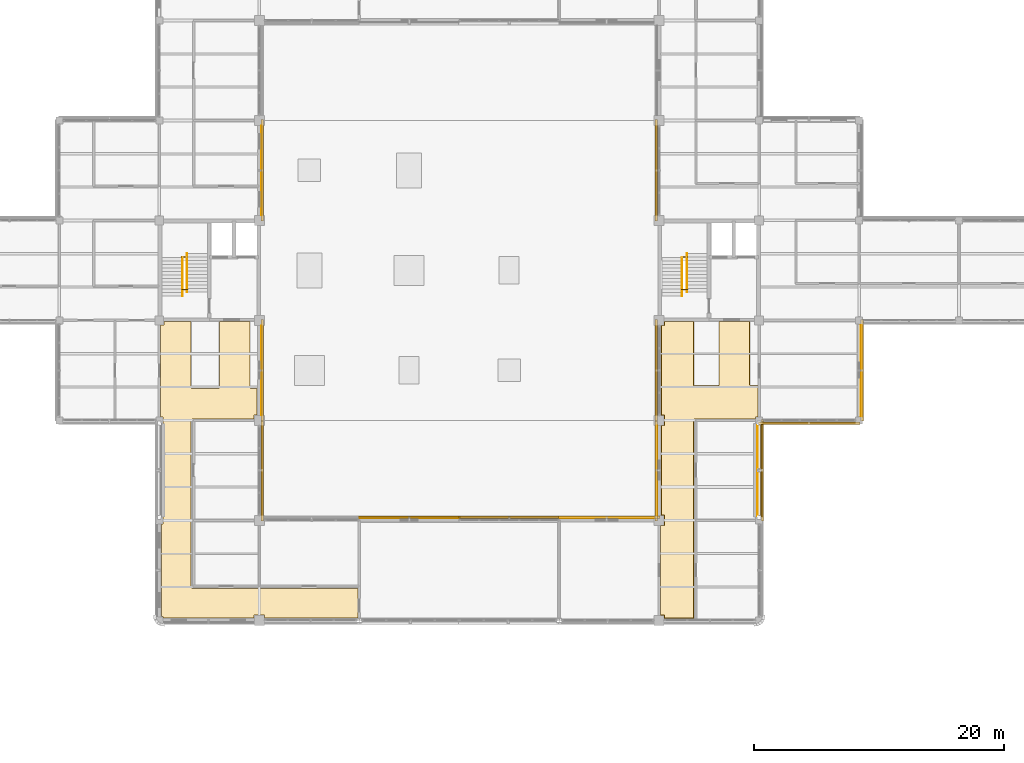
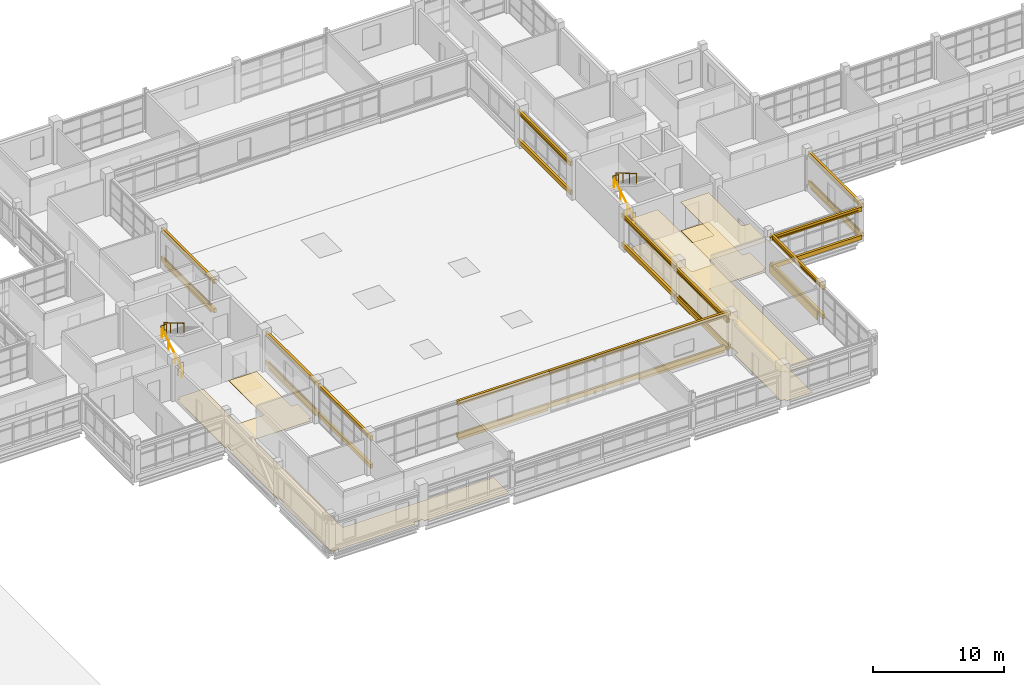
# One storey, part 97 of 107: 34 coverings, 12 shading devices, 8 railings.
"""IFC4 building model written with IfcOpenShell, lengths in metres."""

from ifc_helpers import new_model, si_unit, derived_unit, direction, frame, origin, origin_2d, place, context, subcontext, project, spatial, polyline, rectangle, circle, outline, extrude, material, layer, layer_set, material_profile, profile_set, type_object, element, save


model = new_model("IFC4")

# Units and contexts
model_context = context("Model", 3, precision=1e-05, world=origin(), true_north=direction((0.0, 1.0)))
body_context = subcontext(model_context, "Body", "Model", "MODEL_VIEW")
ifc_project = project(units=[si_unit("LENGTHUNIT", "METRE"), si_unit("AREAUNIT", "SQUARE_METRE"), si_unit("VOLUMEUNIT", "CUBIC_METRE"), si_unit("PLANEANGLEUNIT", "RADIAN"), si_unit("MASSUNIT", "GRAM", prefix="KILO"), derived_unit("THERMALTRANSMITTANCEUNIT", [(si_unit("MASSUNIT", "GRAM", prefix="KILO"), 1), (si_unit("TIMEUNIT", "SECOND"), -3), (si_unit("THERMODYNAMICTEMPERATUREUNIT", "KELVIN"), -1)])], contexts=[model_context])

# Site, building, storey
site_placement = place(None, origin())
site = spatial("IfcSite", under=ifc_project, at=site_placement, CompositionType="ELEMENT")
building_placement = place(site_placement, origin())
building = spatial("IfcBuilding", under=site, at=building_placement, Name="Veyamyaing Civic Hall", CompositionType="ELEMENT")
storey_placement = place(building_placement, frame((0.0, 0.0, 13.860107421875)))
storey = spatial("IfcBuildingStorey", under=building, at=storey_placement, Name="L03", CompositionType="ELEMENT", Elevation=13.860107421875)

# Coverings
ifc_material_1 = material(Name="Buff sandstone ashlar cladding", Category="masonry")
ifc_layer_1 = layer(ifc_material_1, 0.050048828125, Name="Buff sandstone ashlar cladding")
ifc_layer_set_1 = layer_set([ifc_layer_1], Name="Buff sandstone ashlar cladding")
covering_type_1 = type_object("IfcCoveringType", Name="CL-01", PredefinedType="CLADDING", material=ifc_layer_set_1)
for number, where, z_axis, x_axis, name in (
    (1, (72.173583984375, 44.0, 0.044921875), (0.0, 0.0, 1.0), (0.0, 1.0, 0.0), "Facade spandrel cladding CL-01 L03 E 9.6"),
    (2, (72.173583984375, 60.0, 0.044921875), (0.0, 0.0, 1.0), (0.0, 1.0, 0.0), "Facade spandrel cladding CL-01 L03 E 9.8"),
):
    element("IfcCovering", number, at=place(storey_placement, frame(where, z_axis=z_axis, x_axis=x_axis)), inside=storey, type_object=covering_type_1, Name=name, PredefinedType="CLADDING", context=body_context, shape_type="SweptSolid", body=[
        extrude(rectangle(XDim=7.14990234375, YDim=0.050048828125, at=origin_2d()), origin(), (0.0, 0.0, 1.0), 0.75),
    ])
covering_1_placement = place(storey_placement, frame((84.0, 32.173583984375, 0.044921875), z_axis=(0.0, 0.0, 1.0), x_axis=(1.0, 0.0, 0.0)))
element("IfcCovering", 3, at=covering_1_placement, inside=storey, type_object=covering_type_1, Name="Facade spandrel cladding CL-01 L03 N 11.4", PredefinedType="CLADDING", context=body_context, shape_type="SweptSolid", body=[
    extrude(rectangle(XDim=7.919921875, YDim=0.050048828125, at=origin_2d()), origin(), (0.0, 0.0, 1.0), 0.75),
])
covering_2_placement = place(storey_placement, frame((99.8076171875, 32.173583984375, 0.044921875), z_axis=(0.0, 0.0, 1.0), x_axis=(1.0, 0.0, 0.0)))
element("IfcCovering", 4, at=covering_2_placement, inside=storey, type_object=covering_type_1, Name="Facade spandrel cladding CL-01 L03 N 13.4", PredefinedType="CLADDING", context=body_context, shape_type="SweptSolid", body=[
    extrude(rectangle(XDim=7.534912109375, YDim=0.050048828125, at=origin_2d()), origin(), (0.0, 0.0, 1.0), 0.75),
])
covering_3_placement = place(storey_placement, frame((103.826416015625, 36.0, 0.044921875), z_axis=(0.0, 0.0, 1.0), x_axis=(0.0, 1.0, 0.0)))
element("IfcCovering", 5, at=covering_3_placement, inside=storey, type_object=covering_type_1, Name="Facade spandrel cladding CL-01 L03 W 14.5", PredefinedType="CLADDING", context=body_context, shape_type="SweptSolid", body=[
    extrude(rectangle(XDim=7.14990234375, YDim=0.050048828125, at=origin_2d()), origin(), (0.0, 0.0, 1.0), 0.75),
])
for number, where, z_axis, x_axis, name in (
    (6, (111.87353515625, 36.0, 0.044921875), (0.0, 0.0, 1.0), (0.0, 1.0, 0.0), "Facade spandrel cladding CL-01 L03 E 14.5"),
    (7, (120.173583984375, 44.0, 0.044921875), (0.0, 0.0, 1.0), (0.0, 1.0, 0.0), "Facade spandrel cladding CL-01 L03 E 15.6"),
):
    element("IfcCovering", number, at=place(storey_placement, frame(where, z_axis=z_axis, x_axis=x_axis)), inside=storey, type_object=covering_type_1, Name=name, PredefinedType="CLADDING", context=body_context, shape_type="SweptSolid", body=[
        extrude(rectangle(XDim=7.39990234375, YDim=0.050048828125, at=origin_2d()), origin(), (0.0, 0.0, 1.0), 0.75),
    ])
ifc_material_2 = material(Name="White powder-coated aluminium 6063-T6", Category="aluminium")
ifc_layer_2 = layer(ifc_material_2, 0.2099609375, Name="White powder-coated aluminium 6063-T6")
ifc_layer_set_2 = layer_set([ifc_layer_2], Name="White powder-coated aluminium 6063-T6")
covering_type_2 = type_object("IfcCoveringType", Name="CL-03", PredefinedType="CLADDING", material=ifc_layer_set_2)
for number, where, z_axis, x_axis, name in (
    (8, (72.239990234375, 36.0, 2.919921875), (0.0, 0.0, 1.0), (0.0, 1.0, 0.0), "Continuous white head fascia ribbon CL-03 L03 E 9.5"),
    (9, (72.239990234375, 36.0, 0.280029296875), (0.0, 0.0, 1.0), (0.0, 1.0, 0.0), "Continuous white sill fascia ribbon CL-03 L03 E 9.5"),
    (10, (72.239990234375, 44.0, 2.98388671875), (0.0, 0.0, 1.0), (0.0, 1.0, 0.0), "Continuous white head fascia ribbon CL-03 L03 E 9.6"),
    (11, (72.239990234375, 44.0, 0.280029296875), (0.0, 0.0, 1.0), (0.0, 1.0, 0.0), "Continuous white sill fascia ribbon CL-03 L03 E 9.6"),
    (12, (72.239990234375, 60.0, 2.987060546875), (0.0, 0.0, 1.0), (0.0, 1.0, 0.0), "Continuous white head fascia ribbon CL-03 L03 E 9.8"),
    (13, (72.239990234375, 60.0, 0.280029296875), (0.0, 0.0, 1.0), (0.0, 1.0, 0.0), "Continuous white sill fascia ribbon CL-03 L03 E 9.8"),
    (14, (84.0, 32.239990234375, 3.344970703125), (0.0, 0.0, 1.0), (1.0, 0.0, 0.0), "Continuous white head fascia ribbon CL-03 L03 N 11.4"),
    (15, (84.0, 32.239990234375, 0.280029296875), (0.0, 0.0, 1.0), (1.0, 0.0, 0.0), "Continuous white sill fascia ribbon CL-03 L03 N 11.4"),
    (16, (92.0, 32.239990234375, 3.344970703125), (0.0, 0.0, 1.0), (1.0, 0.0, 0.0), "Continuous white head fascia ribbon CL-03 L03 N 12.4"),
    (17, (92.0, 32.239990234375, 0.280029296875), (0.0, 0.0, 1.0), (1.0, 0.0, 0.0), "Continuous white sill fascia ribbon CL-03 L03 N 12.4"),
    (18, (100.0, 32.239990234375, 3.344970703125), (0.0, 0.0, 1.0), (1.0, 0.0, 0.0), "Continuous white head fascia ribbon CL-03 L03 N 13.4"),
    (19, (100.0, 32.239990234375, 0.280029296875), (0.0, 0.0, 1.0), (1.0, 0.0, 0.0), "Continuous white sill fascia ribbon CL-03 L03 N 13.4"),
    (20, (103.760009765625, 36.0, 2.919921875), (0.0, 0.0, 1.0), (0.0, 1.0, 0.0), "Continuous white head fascia ribbon CL-03 L03 W 14.5"),
    (21, (103.760009765625, 36.0, 0.280029296875), (0.0, 0.0, 1.0), (0.0, 1.0, 0.0), "Continuous white sill fascia ribbon CL-03 L03 W 14.5"),
    (22, (112.239990234375, 36.0, 2.98388671875), (0.0, 0.0, 1.0), (0.0, 1.0, 0.0), "Continuous white head fascia ribbon CL-03 L03 E 14.5"),
    (23, (112.239990234375, 36.0, 0.280029296875), (0.0, 0.0, 1.0), (0.0, 1.0, 0.0), "Continuous white sill fascia ribbon CL-03 L03 E 14.5"),
    (24, (103.760009765625, 44.0, 2.98388671875), (0.0, 0.0, 1.0), (0.0, 1.0, 0.0), "Continuous white head fascia ribbon CL-03 L03 W 14.6"),
    (25, (103.760009765625, 44.0, 0.280029296875), (0.0, 0.0, 1.0), (0.0, 1.0, 0.0), "Continuous white sill fascia ribbon CL-03 L03 W 14.6"),
    (26, (103.760009765625, 60.0, 2.987060546875), (0.0, 0.0, 1.0), (0.0, 1.0, 0.0), "Continuous white head fascia ribbon CL-03 L03 W 14.8"),
    (27, (103.760009765625, 60.0, 0.280029296875), (0.0, 0.0, 1.0), (0.0, 1.0, 0.0), "Continuous white sill fascia ribbon CL-03 L03 W 14.8"),
    (28, (116.0, 39.760009765625, 2.923828125), (0.0, 0.0, 1.0), (1.0, 0.0, 0.0), "Continuous white head fascia ribbon CL-03 L03 S 15.6"),
    (29, (116.0, 39.760009765625, 0.280029296875), (0.0, 0.0, 1.0), (1.0, 0.0, 0.0), "Continuous white sill fascia ribbon CL-03 L03 S 15.6"),
    (30, (120.239990234375, 44.0, 2.987060546875), (0.0, 0.0, 1.0), (0.0, 1.0, 0.0), "Continuous white head fascia ribbon CL-03 L03 E 15.6"),
    (31, (120.239990234375, 44.0, 0.280029296875), (0.0, 0.0, 1.0), (0.0, 1.0, 0.0), "Continuous white sill fascia ribbon CL-03 L03 E 15.6"),
):
    element("IfcCovering", number, at=place(storey_placement, frame(where, z_axis=z_axis, x_axis=x_axis)), inside=storey, type_object=covering_type_2, Name=name, PredefinedType="CLADDING", context=body_context, shape_type="SweptSolid", body=[
        extrude(rectangle(XDim=8.1201171875, YDim=0.2099609375, at=origin_2d()), origin(), (0.0, 0.0, 1.0), 0.39990234375),
    ])
ifc_material_3 = material(Name="Perforated acoustic gypsum ceiling board")
ifc_layer_3 = layer(ifc_material_3, 0.02490234375, Name="Perforated acoustic gypsum ceiling board")
ifc_layer_set_3 = layer_set([ifc_layer_3], Name="Perforated acoustic gypsum ceiling board")
covering_type_3 = type_object("IfcCoveringType", Name="CLG-01", PredefinedType="CEILING", material=ifc_layer_set_3)
covering_4_placement = place(storey_placement, frame((0.0, 0.0, 2.699951171875)))
element("IfcCovering", 32, at=covering_4_placement, inside=storey, type_object=covering_type_3, Name="Acoustic suspended ceiling CLG-01 L03-C05", PredefinedType="CEILING", context=body_context, shape_type="SweptSolid", body=[
    extrude(outline(polyline([(106.77490234375, 42.8525390625), (106.78125, 42.821533203125), (106.79736328125, 42.79736328125), (106.821533203125, 42.78125), (106.8525390625, 42.77490234375), (108.6982421875, 42.77490234375), (108.7216796875, 42.778564453125), (108.741455078125, 42.787841796875), (108.7578125, 42.802490234375), (108.768798828125, 42.82080078125), (108.77490234375, 42.8525390625), (108.77490234375, 47.925048828125), (111.27490234375, 47.925048828125), (111.275390625, 42.84326171875), (111.28076171875, 42.822021484375), (111.29736328125, 42.79736328125), (111.322021484375, 42.78076171875), (111.34326171875, 42.775390625), (111.925048828125, 42.77490234375), (111.925048828125, 40.260009765625), (111.739990234375, 40.260009765625), (111.739990234375, 40.074951171875), (106.851806640625, 40.074951171875), (106.828369140625, 40.071533203125), (106.80859375, 40.06201171875), (106.792236328125, 40.04736328125), (106.78125, 40.029296875), (106.77490234375, 39.99755859375), (106.77490234375, 24.155029296875), (104.385009765625, 24.155029296875), (104.385009765625, 24.385009765625), (104.074951171875, 24.385009765625), (104.074951171875, 31.614990234375), (104.385009765625, 31.614990234375), (104.385009765625, 32.385009765625), (104.155029296875, 32.385009765625), (104.155029296875, 39.614990234375), (104.385009765625, 39.614990234375), (104.385009765625, 40.385009765625), (104.155029296875, 40.385009765625), (104.155029296875, 47.614990234375), (104.385009765625, 47.614990234375), (104.385009765625, 47.925048828125), (106.77490234375, 47.925048828125), (106.77490234375, 42.8525390625)])), origin(), (0.0, 0.0, 1.0), 0.02490234375),
])
ifc_material_4 = material(Name="Polished Mandalay marble and terrazzo flooring", Category="masonry")
ifc_layer_4 = layer(ifc_material_4, 0.030029296875, Name="Polished Mandalay marble and terrazzo flooring")
ifc_layer_set_4 = layer_set([ifc_layer_4], Name="Polished Mandalay marble and terrazzo flooring")
covering_type_4 = type_object("IfcCoveringType", Name="FLR-01", PredefinedType="FLOORING", material=ifc_layer_set_4)
covering_5_placement = place(storey_placement, origin())
element("IfcCovering", 33, at=covering_5_placement, inside=storey, type_object=covering_type_4, Name="Stone and terrazzo flooring FLR-01 L03-C03", PredefinedType="FLOORING", context=body_context, shape_type="SweptSolid", body=[
    extrude(outline(polyline([(66.550048828125, 42.64990234375), (66.5576171875, 42.61181640625), (66.579345703125, 42.579345703125), (66.61181640625, 42.5576171875), (66.64990234375, 42.550048828125), (68.699951171875, 42.550048828125), (68.72900390625, 42.55419921875), (68.755615234375, 42.56689453125), (68.77734375, 42.586669921875), (68.79248046875, 42.61181640625), (68.800048828125, 42.64990234375), (68.800048828125, 47.89990234375), (71.25, 47.89990234375), (71.25048828125, 42.64013671875), (71.257568359375, 42.61181640625), (71.279296875, 42.579345703125), (71.302978515625, 42.561767578125), (71.33056640625, 42.552001953125), (71.820068359375, 42.550048828125), (71.820068359375, 40.409912109375), (71.590087890625, 40.409912109375), (71.590087890625, 40.10009765625), (66.64990234375, 40.10009765625), (66.62109375, 40.095703125), (66.586669921875, 40.077392578125), (66.561767578125, 40.047119140625), (66.552001953125, 40.01953125), (66.550048828125, 26.64990234375), (66.55419921875, 26.62109375), (66.56689453125, 26.594482421875), (66.579345703125, 26.579345703125), (66.602783203125, 26.561767578125), (66.62109375, 26.55419921875), (66.64990234375, 26.550048828125), (79.89990234375, 26.550048828125), (79.89990234375, 24.18798828125), (79.805419921875, 24.18798828125), (79.805419921875, 24.179931640625), (72.409912109375, 24.179931640625), (72.409912109375, 24.409912109375), (71.590087890625, 24.409912109375), (71.590087890625, 24.179931640625), (64.284912109375, 24.179931640625), (64.284912109375, 24.284912109375), (64.179931640625, 24.284912109375), (64.179931640625, 31.715087890625), (64.284912109375, 31.715087890625), (64.284912109375, 32.284912109375), (64.179931640625, 32.284912109375), (64.179931640625, 39.715087890625), (64.284912109375, 39.715087890625), (64.284912109375, 40.284912109375), (64.10009765625, 40.284912109375), (64.10009765625, 47.639892578125), (64.360107421875, 47.639892578125), (64.360107421875, 47.89990234375), (66.550048828125, 47.89990234375), (66.550048828125, 42.64990234375)])), origin(), (0.0, 0.0, 1.0), 0.02978515625),
])
covering_6_placement = place(storey_placement, origin())
element("IfcCovering", 34, at=covering_6_placement, inside=storey, type_object=covering_type_4, Name="Stone and terrazzo flooring FLR-01 L03-C05", PredefinedType="FLOORING", context=body_context, shape_type="SweptSolid", body=[
    extrude(outline(polyline([(106.75, 42.85009765625), (106.757568359375, 42.811767578125), (106.779296875, 42.779296875), (106.811767578125, 42.757568359375), (106.85009765625, 42.75), (108.699951171875, 42.75), (108.72900390625, 42.75439453125), (108.755615234375, 42.766845703125), (108.77734375, 42.78662109375), (108.79248046875, 42.811767578125), (108.800048828125, 42.85009765625), (108.800048828125, 47.89990234375), (111.25, 47.89990234375), (111.25048828125, 42.840087890625), (111.257568359375, 42.811767578125), (111.279296875, 42.779296875), (111.311767578125, 42.757568359375), (111.340087890625, 42.75048828125), (111.89990234375, 42.75), (111.89990234375, 40.284912109375), (111.715087890625, 40.284912109375), (111.715087890625, 40.10009765625), (106.85009765625, 40.10009765625), (106.821044921875, 40.095703125), (106.79443359375, 40.0830078125), (106.772705078125, 40.0634765625), (106.757568359375, 40.038330078125), (106.75, 40.0), (106.75, 24.179931640625), (104.409912109375, 24.179931640625), (104.409912109375, 24.409912109375), (104.10009765625, 24.409912109375), (104.10009765625, 31.590087890625), (104.409912109375, 31.590087890625), (104.409912109375, 32.409912109375), (104.179931640625, 32.409912109375), (104.179931640625, 39.590087890625), (104.409912109375, 39.590087890625), (104.409912109375, 40.409912109375), (104.179931640625, 40.409912109375), (104.179931640625, 47.590087890625), (104.409912109375, 47.590087890625), (104.409912109375, 47.89990234375), (106.75, 47.89990234375), (106.75, 42.85009765625)])), origin(), (0.0, 0.0, 1.0), 0.02978515625),
])

# Railings
ifc_material_5 = material(Name="Steel S355J2", Category="steel")
railing_type_1 = type_object("IfcRailingType", Name="RL-01", PredefinedType="BALUSTRADE", material=ifc_material_5)
railing_1_placement = place(storey_placement, frame((65.780029296875, 53.070068359375, 1.97998046875)))
element("IfcRailing", 35, at=railing_1_placement, inside=storey, type_object=railing_type_1, Name="Half-landing slot guard RL-01 ST-05 L03", PredefinedType="BALUSTRADE", context=body_context, shape_type="SweptSolid", body=[
    extrude(circle(Radius=0.02392578125, at=origin_2d()), frame((0.0, 0.0, 1.076171875), z_axis=(1.0, 0.0, 0.0), x_axis=(0.0, 1.0, 0.0)), (0.0, 0.0, 1.0), 0.489990234375),
    extrude(circle(Radius=0.01416015625, at=origin_2d()), frame((0.0, 0.0, 0.572021484375), z_axis=(1.0, 0.0, 0.0), x_axis=(0.0, 1.0, 0.0)), (0.0, 0.0, 1.0), 0.489990234375),
    extrude(circle(Radius=0.02099609375, at=origin_2d()), origin(), (0.0, 0.0, 1.0), 1.052001953125),
    extrude(circle(Radius=0.02099609375, at=origin_2d()), frame((0.489990234375, 0.0, 0.0)), (0.0, 0.0, 1.0), 1.052001953125),
])
railing_2_placement = place(storey_placement, frame((65.800048828125, 50.47998046875, 0.0)))
element("IfcRailing", 36, at=railing_2_placement, inside=storey, type_object=railing_type_1, Name="Floor-landing slot guard RL-01 ST-05 L03", PredefinedType="BALUSTRADE", context=body_context, shape_type="SweptSolid", body=[
    extrude(circle(Radius=0.02392578125, at=origin_2d()), frame((0.0, 0.0, 1.076171875), z_axis=(1.0, 0.0, 0.0), x_axis=(0.0, 1.0, 0.0)), (0.0, 0.0, 1.0), 0.469970703125),
    extrude(circle(Radius=0.01416015625, at=origin_2d()), frame((0.0, 0.0, 0.572021484375), z_axis=(1.0, 0.0, 0.0), x_axis=(0.0, 1.0, 0.0)), (0.0, 0.0, 1.0), 0.469970703125),
    extrude(circle(Radius=0.02099609375, at=origin_2d()), origin(), (0.0, 0.0, 1.0), 1.052001953125),
    extrude(circle(Radius=0.02099609375, at=origin_2d()), frame((0.469970703125, 0.0, 0.0)), (0.0, 0.0, 1.0), 1.052001953125),
])
railing_3_placement = place(storey_placement, frame((105.780029296875, 53.070068359375, 1.97998046875)))
element("IfcRailing", 37, at=railing_3_placement, inside=storey, type_object=railing_type_1, Name="Half-landing slot guard RL-01 ST-06 L03", PredefinedType="BALUSTRADE", context=body_context, shape_type="SweptSolid", body=[
    extrude(circle(Radius=0.02392578125, at=origin_2d()), frame((0.0, 0.0, 1.076171875), z_axis=(1.0, 0.0, 0.0), x_axis=(0.0, 1.0, 0.0)), (0.0, 0.0, 1.0), 0.489990234375),
    extrude(circle(Radius=0.01416015625, at=origin_2d()), frame((0.0, 0.0, 0.572021484375), z_axis=(1.0, 0.0, 0.0), x_axis=(0.0, 1.0, 0.0)), (0.0, 0.0, 1.0), 0.489990234375),
    extrude(circle(Radius=0.02099609375, at=origin_2d()), origin(), (0.0, 0.0, 1.0), 1.052001953125),
    extrude(circle(Radius=0.02099609375, at=origin_2d()), frame((0.489990234375, 0.0, 0.0)), (0.0, 0.0, 1.0), 1.052001953125),
])
railing_4_placement = place(storey_placement, frame((105.800048828125, 50.47998046875, 0.0)))
element("IfcRailing", 38, at=railing_4_placement, inside=storey, type_object=railing_type_1, Name="Floor-landing slot guard RL-01 ST-06 L03", PredefinedType="BALUSTRADE", context=body_context, shape_type="SweptSolid", body=[
    extrude(circle(Radius=0.02392578125, at=origin_2d()), frame((0.0, 0.0, 1.076171875), z_axis=(1.0, 0.0, 0.0), x_axis=(0.0, 1.0, 0.0)), (0.0, 0.0, 1.0), 0.469970703125),
    extrude(circle(Radius=0.01416015625, at=origin_2d()), frame((0.0, 0.0, 0.572021484375), z_axis=(1.0, 0.0, 0.0), x_axis=(0.0, 1.0, 0.0)), (0.0, 0.0, 1.0), 0.469970703125),
    extrude(circle(Radius=0.02099609375, at=origin_2d()), origin(), (0.0, 0.0, 1.0), 1.052001953125),
    extrude(circle(Radius=0.02099609375, at=origin_2d()), frame((0.469970703125, 0.0, 0.0)), (0.0, 0.0, 1.0), 1.052001953125),
])
railing_type_2 = type_object("IfcRailingType", Name="RL-02", PredefinedType="HANDRAIL", material=ifc_material_5)
railing_5_placement = place(storey_placement, frame((65.840087890625, 49.949951171875, 0.164794921875)))
element("IfcRailing", 39, at=railing_5_placement, inside=storey, type_object=railing_type_2, Name="Stair pitch handrail RL-02 ST-05 L03.1", PredefinedType="HANDRAIL", context=body_context, shape_type="SweptSolid", body=[
    extrude(circle(Radius=0.02392578125, at=origin_2d()), frame((0.0, 0.0, 0.89599609375), z_axis=(0.0, 0.861521393093, 0.507721271215), x_axis=(-1.0, 0.0, 0.0)), (0.0, 0.0, 1.0), 3.5751953125),
    extrude(circle(Radius=0.02099609375, at=origin_2d()), origin(), (0.0, 0.0, 1.0), 0.871826171875),
    extrude(circle(Radius=0.02099609375, at=origin_2d()), frame((0.0, 1.026611328125, 0.60498046875)), (0.0, 0.0, 1.0), 0.871826171875),
    extrude(circle(Radius=0.02099609375, at=origin_2d()), frame((0.0, 2.053466796875, 1.210205078125)), (0.0, 0.0, 1.0), 0.871826171875),
    extrude(circle(Radius=0.02099609375, at=origin_2d()), frame((0.0, 3.080078125, 1.815185546875)), (0.0, 0.0, 1.0), 0.871826171875),
])
railing_6_placement = place(storey_placement, frame((66.219970703125, 53.35009765625, 2.144775390625)))
element("IfcRailing", 40, at=railing_6_placement, inside=storey, type_object=railing_type_2, Name="Stair pitch handrail RL-02 ST-05 L03.2", PredefinedType="HANDRAIL", context=body_context, shape_type="SweptSolid", body=[
    extrude(circle(Radius=0.02392578125, at=origin_2d()), frame((0.0, 0.0, 0.89599609375), z_axis=(0.0, -0.861521393093, 0.507721271215), x_axis=(1.0, 0.0, 0.0)), (0.0, 0.0, 1.0), 3.5751953125),
    extrude(circle(Radius=0.02099609375, at=origin_2d()), origin(), (0.0, 0.0, 1.0), 0.871826171875),
    extrude(circle(Radius=0.02099609375, at=origin_2d()), frame((0.0, -1.026611328125, 0.60498046875)), (0.0, 0.0, 1.0), 0.871826171875),
    extrude(circle(Radius=0.02099609375, at=origin_2d()), frame((0.0, -2.053466796875, 1.210205078125)), (0.0, 0.0, 1.0), 0.871826171875),
    extrude(circle(Radius=0.02099609375, at=origin_2d()), frame((0.0, -3.080078125, 1.815185546875)), (0.0, 0.0, 1.0), 0.871826171875),
])
railing_7_placement = place(storey_placement, frame((105.840087890625, 49.949951171875, 0.164794921875)))
element("IfcRailing", 41, at=railing_7_placement, inside=storey, type_object=railing_type_2, Name="Stair pitch handrail RL-02 ST-06 L03.1", PredefinedType="HANDRAIL", context=body_context, shape_type="SweptSolid", body=[
    extrude(circle(Radius=0.02392578125, at=origin_2d()), frame((0.0, 0.0, 0.89599609375), z_axis=(0.0, 0.861521393093, 0.507721271215), x_axis=(-1.0, 0.0, 0.0)), (0.0, 0.0, 1.0), 3.5751953125),
    extrude(circle(Radius=0.02099609375, at=origin_2d()), origin(), (0.0, 0.0, 1.0), 0.871826171875),
    extrude(circle(Radius=0.02099609375, at=origin_2d()), frame((0.0, 1.026611328125, 0.60498046875)), (0.0, 0.0, 1.0), 0.871826171875),
    extrude(circle(Radius=0.02099609375, at=origin_2d()), frame((0.0, 2.053466796875, 1.210205078125)), (0.0, 0.0, 1.0), 0.871826171875),
    extrude(circle(Radius=0.02099609375, at=origin_2d()), frame((0.0, 3.080078125, 1.815185546875)), (0.0, 0.0, 1.0), 0.871826171875),
])
railing_8_placement = place(storey_placement, frame((106.219970703125, 53.35009765625, 2.144775390625)))
element("IfcRailing", 42, at=railing_8_placement, inside=storey, type_object=railing_type_2, Name="Stair pitch handrail RL-02 ST-06 L03.2", PredefinedType="HANDRAIL", context=body_context, shape_type="SweptSolid", body=[
    extrude(circle(Radius=0.02392578125, at=origin_2d()), frame((0.0, 0.0, 0.89599609375), z_axis=(0.0, -0.861521393093, 0.507721271215), x_axis=(1.0, 0.0, 0.0)), (0.0, 0.0, 1.0), 3.5751953125),
    extrude(circle(Radius=0.02099609375, at=origin_2d()), origin(), (0.0, 0.0, 1.0), 0.871826171875),
    extrude(circle(Radius=0.02099609375, at=origin_2d()), frame((0.0, -1.026611328125, 0.60498046875)), (0.0, 0.0, 1.0), 0.871826171875),
    extrude(circle(Radius=0.02099609375, at=origin_2d()), frame((0.0, -2.053466796875, 1.210205078125)), (0.0, 0.0, 1.0), 0.871826171875),
    extrude(circle(Radius=0.02099609375, at=origin_2d()), frame((0.0, -3.080078125, 1.815185546875)), (0.0, 0.0, 1.0), 0.871826171875),
])

# Shading devices
ifc_material_profile = material_profile(ifc_material_2, circle(Radius=0.110107421875, at=origin_2d()), Name="SHADE-TUBE-220")
ifc_profile_set = profile_set([ifc_material_profile], Name="White powder-coated aluminium 6063-T6")
shading_device_type = type_object("IfcShadingDeviceType", Name="SH-01", PredefinedType="USERDEFINED", material=ifc_profile_set)
for number, where, z_axis, x_axis, name in (
    (43, (72.239990234375, 32.385009765625, 3.079833984375), (0.0, 1.0, 0.0), (-1.0, 0.0, 0.0), "Horizontal white sunshade ribbon SH-01 L03 E 9.5"),
    (44, (72.239990234375, 40.385009765625, 3.143798828125), (0.0, 1.0, 0.0), (-1.0, 0.0, 0.0), "Horizontal white sunshade ribbon SH-01 L03 E 9.6"),
    (45, (72.239990234375, 56.385009765625, 3.14697265625), (0.0, 1.0, 0.0), (-1.0, 0.0, 0.0), "Horizontal white sunshade ribbon SH-01 L03 E 9.8"),
):
    element("IfcShadingDevice", number, at=place(storey_placement, frame(where, z_axis=z_axis, x_axis=x_axis)), inside=storey, type_object=shading_device_type, Name=name, ObjectType="SUNSHADE", PredefinedType="USERDEFINED", context=body_context, shape_type="SweptSolid", body=[
        extrude(circle(Radius=0.110107421875, at=origin_2d()), origin(), (0.0, 0.0, 1.0), 7.22998046875),
    ])
for number, where, z_axis, x_axis, name in (
    (46, (80.0, 32.239990234375, 3.5048828125), (1.0, 0.0, 0.0), (0.0, 1.0, 0.0), "Horizontal white sunshade ribbon SH-01 L03 N 11.4"),
    (47, (88.0, 32.239990234375, 3.5048828125), (1.0, 0.0, 0.0), (0.0, 1.0, 0.0), "Horizontal white sunshade ribbon SH-01 L03 N 12.4"),
):
    element("IfcShadingDevice", number, at=place(storey_placement, frame(where, z_axis=z_axis, x_axis=x_axis)), inside=storey, type_object=shading_device_type, Name=name, ObjectType="SUNSHADE", PredefinedType="USERDEFINED", context=body_context, shape_type="SweptSolid", body=[
        extrude(circle(Radius=0.110107421875, at=origin_2d()), origin(), (0.0, 0.0, 1.0), 8.0),
    ])
shading_device_1_placement = place(storey_placement, frame((96.0, 32.239990234375, 3.5048828125), z_axis=(1.0, 0.0, 0.0), x_axis=(0.0, 1.0, 0.0)))
element("IfcShadingDevice", 48, at=shading_device_1_placement, inside=storey, type_object=shading_device_type, Name="Horizontal white sunshade ribbon SH-01 L03 N 13.4", ObjectType="SUNSHADE", PredefinedType="USERDEFINED", context=body_context, shape_type="SweptSolid", body=[
    extrude(circle(Radius=0.110107421875, at=origin_2d()), origin(), (0.0, 0.0, 1.0), 7.614990234375),
])
shading_device_2_placement = place(storey_placement, frame((103.760009765625, 32.385009765625, 3.079833984375), z_axis=(0.0, 1.0, 0.0), x_axis=(-1.0, 0.0, 0.0)))
element("IfcShadingDevice", 49, at=shading_device_2_placement, inside=storey, type_object=shading_device_type, Name="Horizontal white sunshade ribbon SH-01 L03 W 14.5", ObjectType="SUNSHADE", PredefinedType="USERDEFINED", context=body_context, shape_type="SweptSolid", body=[
    extrude(circle(Radius=0.110107421875, at=origin_2d()), origin(), (0.0, 0.0, 1.0), 7.22998046875),
])
shading_device_3_placement = place(storey_placement, frame((112.239990234375, 32.260009765625, 3.143798828125), z_axis=(0.0, 1.0, 0.0), x_axis=(-1.0, 0.0, 0.0)))
element("IfcShadingDevice", 50, at=shading_device_3_placement, inside=storey, type_object=shading_device_type, Name="Horizontal white sunshade ribbon SH-01 L03 E 14.5", ObjectType="SUNSHADE", PredefinedType="USERDEFINED", context=body_context, shape_type="SweptSolid", body=[
    extrude(circle(Radius=0.110107421875, at=origin_2d()), origin(), (0.0, 0.0, 1.0), 7.47998046875),
])
for number, where, z_axis, x_axis, name in (
    (51, (103.760009765625, 40.385009765625, 3.143798828125), (0.0, 1.0, 0.0), (-1.0, 0.0, 0.0), "Horizontal white sunshade ribbon SH-01 L03 W 14.6"),
    (52, (103.760009765625, 56.385009765625, 3.14697265625), (0.0, 1.0, 0.0), (-1.0, 0.0, 0.0), "Horizontal white sunshade ribbon SH-01 L03 W 14.8"),
):
    element("IfcShadingDevice", number, at=place(storey_placement, frame(where, z_axis=z_axis, x_axis=x_axis)), inside=storey, type_object=shading_device_type, Name=name, ObjectType="SUNSHADE", PredefinedType="USERDEFINED", context=body_context, shape_type="SweptSolid", body=[
        extrude(circle(Radius=0.110107421875, at=origin_2d()), origin(), (0.0, 0.0, 1.0), 7.22998046875),
    ])
for number, where, z_axis, x_axis, name in (
    (53, (112.260009765625, 39.760009765625, 3.083984375), (1.0, 0.0, 0.0), (0.0, 1.0, 0.0), "Horizontal white sunshade ribbon SH-01 L03 S 15.6"),
    (54, (120.239990234375, 40.260009765625, 3.14697265625), (0.0, 1.0, 0.0), (-1.0, 0.0, 0.0), "Horizontal white sunshade ribbon SH-01 L03 E 15.6"),
):
    element("IfcShadingDevice", number, at=place(storey_placement, frame(where, z_axis=z_axis, x_axis=x_axis)), inside=storey, type_object=shading_device_type, Name=name, ObjectType="SUNSHADE", PredefinedType="USERDEFINED", context=body_context, shape_type="SweptSolid", body=[
        extrude(circle(Radius=0.110107421875, at=origin_2d()), origin(), (0.0, 0.0, 1.0), 7.47998046875),
    ])

save(model, "model.ifc")
